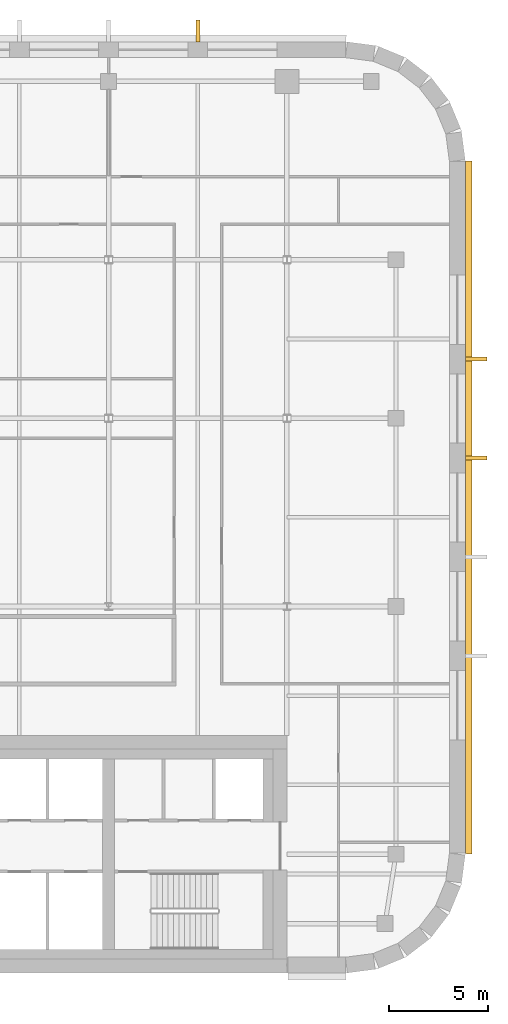
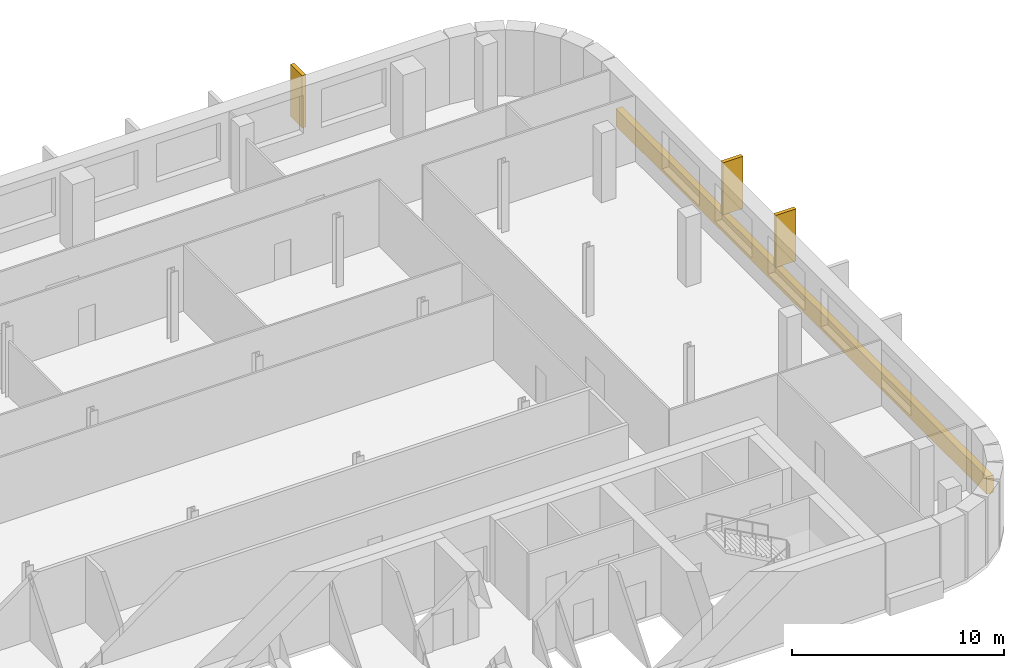
# One storey, part 16 of 16: 4 coverings.
"""IFC4 building model written with IfcOpenShell, lengths in metres."""

from ifc_helpers import new_model, si_unit, direction, frame, origin, place, context, subcontext, project, spatial, polyline, outline, extrude, material, layer, layer_set, type_object, element, save


model = new_model("IFC4")

# Units and contexts
model_context = context("Model", 3, precision=1e-05, world=origin(), true_north=direction((0.0, 1.0)))
body_context = subcontext(model_context, "Body", "Model", "MODEL_VIEW")
ifc_project = project(units=[si_unit("LENGTHUNIT", "METRE"), si_unit("AREAUNIT", "SQUARE_METRE"), si_unit("VOLUMEUNIT", "CUBIC_METRE"), si_unit("PLANEANGLEUNIT", "RADIAN"), si_unit("MASSUNIT", "GRAM", prefix="KILO")], contexts=[model_context])

# Site, building, storey
site_placement = place(None, origin())
site = spatial("IfcSite", under=ifc_project, at=site_placement, CompositionType="ELEMENT")
building_placement = place(site_placement, origin())
building = spatial("IfcBuilding", under=site, at=building_placement, Name="Zellij Exchange Tower", CompositionType="ELEMENT")
storey_placement = place(building_placement, frame((0.0, 0.0, 236.5)))
storey = spatial("IfcBuildingStorey", under=building, at=storey_placement, Name="L55", CompositionType="ELEMENT", Elevation=236.5)

# Coverings
ifc_material = material(Name="Limestone cladding", Category="masonry")
ifc_layer = layer(ifc_material, 0.35009765625)
ifc_layer_set = layer_set([ifc_layer], Name="Limestone cladding")
covering_type_1 = type_object("IfcCoveringType", Name="ENV-CV10 Stone spandrel band 350", PredefinedType="CLADDING", material=ifc_layer_set)
covering_1_placement = place(storey_placement, frame((0.0, 0.0, -0.199951171875)))
element("IfcCovering", 1, at=covering_1_placement, inside=storey, type_object=covering_type_1, Name="Stone spandrel band", PredefinedType="CLADDING", context=body_context, shape_type="SweptSolid", body=[
    extrude(outline(polyline([(36.0, -7.973876953125), (36.0, 26.973876953125), (36.35009765625, 26.99658203125), (36.35009765625, -7.99658203125), (36.0, -7.973876953125)])), origin(), (0.0, 0.0, 1.0), 1.0),
])
covering_type_2 = type_object("IfcCoveringType", Name="ENV-CV6 Stone pier 200x1100", PredefinedType="CLADDING", material=ifc_material)
covering_2_placement = place(storey_placement, frame((0.0, 0.0, 0.800048828125)))
element("IfcCovering", 2, at=covering_2_placement, inside=storey, type_object=covering_type_2, Name="Stone pier", PredefinedType="CLADDING", context=body_context, shape_type="SweptSolid", body=[
    extrude(outline(polyline([(36.0, 11.896240234375), (36.0, 12.09619140625), (37.10009765625, 12.09619140625), (37.10009765625, 11.896240234375), (36.0, 11.896240234375)])), origin(), (0.0, 0.0, 1.0), 3.0),
])
covering_3_placement = place(storey_placement, frame((0.0, 0.0, 0.800048828125)))
element("IfcCovering", 3, at=covering_3_placement, inside=storey, type_object=covering_type_2, Name="Stone pier", PredefinedType="CLADDING", context=body_context, shape_type="SweptSolid", body=[
    extrude(outline(polyline([(36.0, 16.888916015625), (36.0, 17.0888671875), (37.10009765625, 17.0888671875), (37.10009765625, 16.888916015625), (36.0, 16.888916015625)])), origin(), (0.0, 0.0, 1.0), 3.0),
])
covering_4_placement = place(storey_placement, frame((0.0, 0.0, 0.800048828125)))
element("IfcCovering", 4, at=covering_4_placement, inside=storey, type_object=covering_type_2, Name="Stone pier", PredefinedType="CLADDING", context=body_context, shape_type="SweptSolid", body=[
    extrude(outline(polyline([(22.60009765625, 33.0), (22.39990234375, 33.0), (22.39990234375, 34.10009765625), (22.60009765625, 34.10009765625), (22.60009765625, 33.0)])), origin(), (0.0, 0.0, 1.0), 3.0),
])

save(model, "model.ifc")
